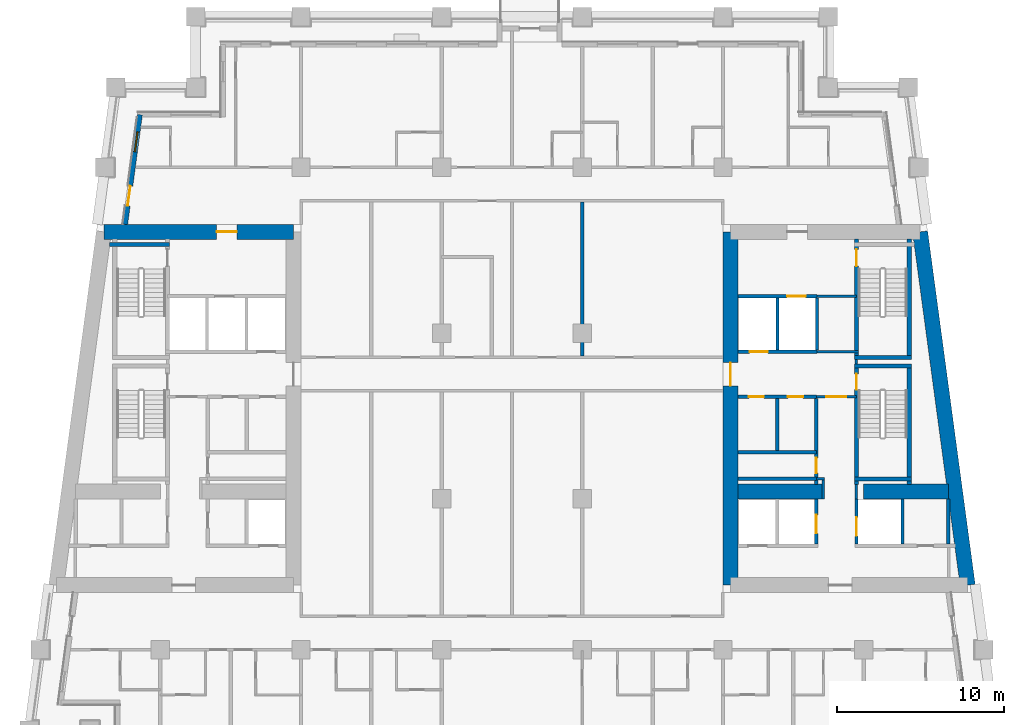
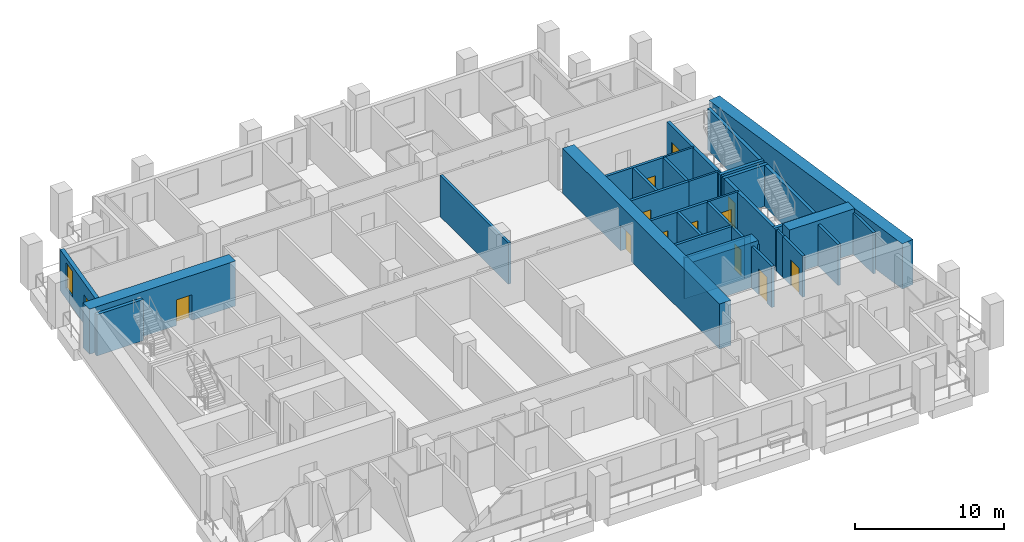
# One storey, part 6 of 13: 35 walls, 13 doors, 1 window, 14 openings.
"""IFC4 building model written with IfcOpenShell, lengths in metres."""

from ifc_helpers import new_model, si_unit, direction, frame, frame_2d, origin, place, context, subcontext, project, spatial, rectangle, extrude, material, layer, layer_set, type_object, element, fill, save


model = new_model("IFC4")

# Units and contexts
model_context = context("Model", 3, precision=1e-05, world=origin(), true_north=direction((0.0, 1.0)))
body_context = subcontext(model_context, "Body", "Model", "MODEL_VIEW")
ifc_project = project(units=[si_unit("LENGTHUNIT", "METRE"), si_unit("AREAUNIT", "SQUARE_METRE"), si_unit("VOLUMEUNIT", "CUBIC_METRE"), si_unit("PLANEANGLEUNIT", "RADIAN"), si_unit("MASSUNIT", "GRAM", prefix="KILO")], contexts=[model_context])

# Site, building, storey
site_placement = place(None, origin())
site = spatial("IfcSite", under=ifc_project, at=site_placement, CompositionType="ELEMENT")
building_placement = place(site_placement, origin())
building = spatial("IfcBuilding", under=site, at=building_placement, Name="Candeia Pilgrim Tower and Theatre", CompositionType="ELEMENT")
storey_placement = place(building_placement, frame((0.0, 0.0, 181.10009765625)))
storey = spatial("IfcBuildingStorey", under=building, at=storey_placement, Name="L43", CompositionType="ELEMENT", Elevation=181.10009765625)

# Wall, opening, door
ifc_material_1 = material(Name="Concrete C60/75", Category="concrete")
ifc_layer_1 = layer(ifc_material_1, 0.89990234375)
ifc_layer_set_1 = layer_set([ifc_layer_1], Name="Core wall 900 C60/75")
wall_type_1 = type_object("IfcWallType", Name="Core wall 900 C60/75", PredefinedType="SHEAR", material=ifc_layer_set_1)
wall_1_placement = place(storey_placement, frame((89.024169921875, 131.949951171875, 0.0), z_axis=(0.0, 0.0, 1.0), x_axis=(1.0, 0.0, 0.0)))
wall_1 = element("IfcWall", 1, at=wall_1_placement, inside=storey, type_object=wall_type_1, Name="Core wall W1", PredefinedType="SHEAR", context=body_context, shape_type="SweptSolid", body=[
    extrude(rectangle(XDim=11.325927734375, YDim=0.89990234375, at=frame_2d((5.6630859375, 0.0))), origin(), (0.0, 0.0, 1.0), 3.699951171875),
])
opening_1_placement = place(wall_1_placement, frame((6.7392578125, 0.0, 0.0)))
opening_1 = element("IfcOpeningElement", 2, at=opening_1_placement, cuts=wall_1, Name="Opening L43-D065", PredefinedType="OPENING", context=body_context, shape_type="SweptSolid", body=[
    extrude(rectangle(XDim=1.199951171875, YDim=2.10009765625, at=frame_2d((0.60009765625, 1.050048828125))), frame((0.0, 0.4599609375, 0.0), z_axis=(0.0, -1.0, 0.0), x_axis=(1.0, 0.0, 0.0)), (0.0, 0.0, 1.0), 0.919921875),
])
ifc_material_2 = material(Name="Steel fire door set", Category="steel")
door_type_1 = type_object("IfcDoorType", Name="D-1200-FD60", OperationType="NOTDEFINED", PredefinedType="DOOR", material=ifc_material_2)
door_1_placement = place(opening_1_placement, origin())
door_1 = element("IfcDoor", 3, at=door_1_placement, inside=storey, type_object=door_type_1, Name="Door L43-D065", OperationType="SINGLE_SWING_RIGHT", OverallHeight=2.10009765625, OverallWidth=1.199951171875, PredefinedType="DOOR", context=body_context, shape_type="SweptSolid", body=[
    extrude(rectangle(XDim=1.199951171875, YDim=2.10009765625, at=frame_2d((0.60009765625, 1.050048828125))), frame((0.0, 0.02490234375, 0.0), z_axis=(0.0, -1.0, 0.0), x_axis=(1.0, 0.0, 0.0)), (0.0, 0.0, 1.0), 0.050048828125),
])
fill(opening_1, door_1)

# Wall
wall_2_placement = place(storey_placement, frame((137.775634765625, 131.949951171875, 0.0), z_axis=(0.0, 0.0, 1.0), x_axis=(0.133421759112, -0.991059349482, 0.0)))
element("IfcWall", 4, at=wall_2_placement, inside=storey, type_object=wall_type_1, Name="Core wall E2", PredefinedType="SHEAR", context=body_context, shape_type="SweptSolid", body=[
    extrude(rectangle(XDim=21.290283203125, YDim=0.89990234375, at=frame_2d((10.64501953125, 0.0))), origin(), (0.0, 0.0, 1.0), 3.699951171875),
])

# Wall, opening, door
wall_3_placement = place(storey_placement, frame((126.449951171875, 110.85009765625, 0.0), z_axis=(0.0, 0.0, 1.0), x_axis=(0.0, 1.0, 0.0)))
wall_3 = element("IfcWall", 5, at=wall_3_placement, inside=storey, type_object=wall_type_1, Name="Core wall E4", PredefinedType="SHEAR", context=body_context, shape_type="SweptSolid", body=[
    extrude(rectangle(XDim=21.099853515625, YDim=0.89990234375, at=frame_2d((10.5498046875, 0.0))), origin(), (0.0, 0.0, 1.0), 3.699951171875),
])
opening_2_placement = place(wall_3_placement, frame((11.89990234375, 0.0, 0.0)))
opening_2 = element("IfcOpeningElement", 6, at=opening_2_placement, cuts=wall_3, Name="Opening L43-D069", PredefinedType="OPENING", context=body_context, shape_type="SweptSolid", body=[
    extrude(rectangle(XDim=1.39990234375, YDim=2.10009765625, at=frame_2d((0.699951171875, 1.050048828125))), frame((0.0, 0.4599609375, 0.0), z_axis=(0.0, -1.0, 0.0), x_axis=(1.0, 0.0, 0.0)), (0.0, 0.0, 1.0), 0.919921875),
])
door_type_2 = type_object("IfcDoorType", Name="D-1400-FD60", OperationType="NOTDEFINED", PredefinedType="DOOR", material=ifc_material_2)
door_2_placement = place(opening_2_placement, origin())
door_2 = element("IfcDoor", 7, at=door_2_placement, inside=storey, type_object=door_type_2, Name="Door L43-D069", OperationType="SINGLE_SWING_RIGHT", OverallHeight=2.10009765625, OverallWidth=1.39990234375, PredefinedType="DOOR", context=body_context, shape_type="SweptSolid", body=[
    extrude(rectangle(XDim=1.39990234375, YDim=2.10009765625, at=frame_2d((0.699951171875, 1.050048828125))), frame((0.0, 0.02490234375, 0.0), z_axis=(0.0, -1.0, 0.0), x_axis=(1.0, 0.0, 0.0)), (0.0, 0.0, 1.0), 0.050048828125),
])
fill(opening_2, door_2)

# Walls
wall_4_placement = place(storey_placement, frame((126.89990234375, 116.449951171875, 0.0), z_axis=(0.0, 0.0, 1.0), x_axis=(1.0, 0.0, 0.0)))
element("IfcWall", 8, at=wall_4_placement, inside=storey, type_object=wall_type_1, Name="Core wall E5", PredefinedType="SHEAR", context=body_context, shape_type="SweptSolid", body=[
    extrude(rectangle(XDim=5.10009765625, YDim=0.89990234375, at=frame_2d((2.550048828125, 0.0))), origin(), (0.0, 0.0, 1.0), 3.699951171875),
])
wall_5_placement = place(storey_placement, frame((134.39990234375, 116.449951171875, 0.0), z_axis=(0.0, 0.0, 1.0), x_axis=(1.0, 0.0, 0.0)))
element("IfcWall", 9, at=wall_5_placement, inside=storey, type_object=wall_type_1, Name="Core wall E6", PredefinedType="SHEAR", context=body_context, shape_type="SweptSolid", body=[
    extrude(rectangle(XDim=5.076904296875, YDim=0.89990234375, at=frame_2d((2.53857421875, 0.0))), origin(), (0.0, 0.0, 1.0), 3.699951171875),
])

# Wall, openings, door, window
ifc_material_3 = material(Name="Ceramic block masonry", Category="masonry")
ifc_layer_2 = layer(ifc_material_3, 0.300048828125)
ifc_layer_set_2 = layer_set([ifc_layer_2], Name="EW1 glazing-line wall 300")
wall_type_2 = type_object("IfcWallType", Name="EW1 glazing-line wall 300", PredefinedType="SOLIDWALL", material=ifc_layer_set_2)
wall_6_placement = place(storey_placement, frame((91.177490234375, 138.949951171875, 0.0), z_axis=(0.0, 0.0, 1.0), x_axis=(-0.133426664613, -0.991058689065, 0.0)))
wall_6 = element("IfcWall", 10, at=wall_6_placement, inside=storey, type_object=wall_type_2, Name="External wall L43-9.0", PredefinedType="SOLIDWALL", context=body_context, shape_type="SweptSolid", body=[
    extrude(rectangle(XDim=6.609130859375, YDim=0.300048828125, at=frame_2d((3.3046875, 0.0))), origin(), (0.0, 0.0, 1.0), 3.3798828125),
])
opening_3_placement = place(wall_6_placement, frame((1.039306640625, 0.0, 0.89990234375)))
opening_3 = element("IfcOpeningElement", 11, at=opening_3_placement, cuts=wall_6, Name="Opening W-B", PredefinedType="OPENING", context=body_context, shape_type="SweptSolid", body=[
    extrude(rectangle(XDim=1.199951171875, YDim=2.10009765625, at=frame_2d((0.60009765625, 1.050048828125))), frame((0.0, 0.16015625, 0.0), z_axis=(0.0, -1.0, 0.0), x_axis=(1.0, 0.0, 0.0)), (0.0, 0.0, 1.0), 0.320068359375),
])
opening_4_placement = place(wall_6_placement, frame((4.293701171875, 0.0, 0.0)))
opening_4 = element("IfcOpeningElement", 12, at=opening_4_placement, cuts=wall_6, Name="Opening L43-ED417", PredefinedType="OPENING", context=body_context, shape_type="SweptSolid", body=[
    extrude(rectangle(XDim=1.199951171875, YDim=2.39990234375, at=frame_2d((0.60009765625, 1.199951171875))), frame((0.0, 0.16015625, 0.0), z_axis=(0.0, -1.0, 0.0), x_axis=(1.0, 0.0, 0.0)), (0.0, 0.0, 1.0), 0.320068359375),
])
ifc_material_4 = material(Name="Aluminium framed glazed door", Category="aluminium")
door_type_3 = type_object("IfcDoorType", Name="Loggia door 1200x2400", OperationType="DOUBLE_DOOR_SINGLE_SWING", PredefinedType="DOOR", material=ifc_material_4)
door_3_placement = place(opening_4_placement, origin())
door_3 = element("IfcDoor", 13, at=door_3_placement, inside=storey, type_object=door_type_3, Name="Loggia door L43-ED417", OperationType="DOUBLE_DOOR_SINGLE_SWING", OverallHeight=2.39990234375, OverallWidth=1.199951171875, PredefinedType="DOOR", context=body_context, shape_type="SweptSolid", body=[
    extrude(rectangle(XDim=1.199951171875, YDim=2.39990234375, at=frame_2d((0.60009765625, 1.199951171875))), frame((0.0, 0.02490234375, 0.0), z_axis=(0.0, -1.0, 0.0), x_axis=(1.0, 0.0, 0.0)), (0.0, 0.0, 1.0), 0.050048828125),
])
fill(opening_4, door_3)
ifc_material_5 = material(Name="Aluminium framed double glazing", Category="aluminium")
window_type = type_object("IfcWindowType", Name="W-B window 1200x2100", PartitioningType="SINGLE_PANEL", PredefinedType="WINDOW", material=ifc_material_5)
window_placement = place(opening_3_placement, origin())
window = element("IfcWindow", 14, at=window_placement, inside=storey, type_object=window_type, Name="Window W-B L43", OverallHeight=2.10009765625, OverallWidth=1.199951171875, PartitioningType="SINGLE_PANEL", PredefinedType="WINDOW", context=body_context, shape_type="SweptSolid", body=[
    extrude(rectangle(XDim=1.199951171875, YDim=2.10009765625, at=frame_2d((0.60009765625, 1.050048828125))), frame((0.0, 0.030029296875, 0.0), z_axis=(0.0, -1.0, 0.0), x_axis=(1.0, 0.0, 0.0)), (0.0, 0.0, 1.0), 0.06005859375),
])
fill(opening_3, window)

# Wall
ifc_material_6 = material(Name="Gypsum board partition on steel studs", Category="steel")
ifc_layer_3 = layer(ifc_material_6, 0.14990234375)
ifc_layer_set_3 = layer_set([ifc_layer_3], Name="PW-150 lobby wall")
wall_type_3 = type_object("IfcWallType", Name="PW-150 lobby wall", PredefinedType="PARTITIONING", material=ifc_layer_set_3)
wall_7_placement = place(storey_placement, frame((131.572998046875, 117.199951171875, 0.0), z_axis=(0.0, 0.0, 1.0), x_axis=(1.0, 0.0, 0.0)))
element("IfcWall", 15, at=wall_7_placement, inside=storey, type_object=wall_type_3, Name="Lobby wall L43-020", PredefinedType="PARTITIONING", context=body_context, shape_type="SweptSolid", body=[
    extrude(rectangle(XDim=0.501953125, YDim=0.14990234375, at=frame_2d((0.2509765625, 0.0))), origin(), (0.0, 0.0, 1.0), 3.3798828125),
])

# Wall, opening, door
wall_8_placement = place(storey_placement, frame((131.572998046875, 122.10009765625, 0.0), z_axis=(0.0, 0.0, 1.0), x_axis=(1.0, 0.0, 0.0)))
wall_8 = element("IfcWall", 16, at=wall_8_placement, inside=storey, type_object=wall_type_3, Name="Lobby wall L43-028", PredefinedType="PARTITIONING", context=body_context, shape_type="SweptSolid", body=[
    extrude(rectangle(XDim=2.39990234375, YDim=0.14990234375, at=frame_2d((1.199951171875, 0.0))), origin(), (0.0, 0.0, 1.0), 3.3798828125),
])
opening_5_placement = place(wall_8_placement, frame((0.60009765625, 0.0, 0.0)))
opening_5 = element("IfcOpeningElement", 17, at=opening_5_placement, cuts=wall_8, Name="Opening L43-D010", PredefinedType="OPENING", context=body_context, shape_type="SweptSolid", body=[
    extrude(rectangle(XDim=1.199951171875, YDim=2.10009765625, at=frame_2d((0.60009765625, 1.050048828125))), frame((0.0, 0.0849609375, 0.0), z_axis=(0.0, -1.0, 0.0), x_axis=(1.0, 0.0, 0.0)), (0.0, 0.0, 1.0), 0.169921875),
])
door_4_placement = place(opening_5_placement, origin())
door_4 = element("IfcDoor", 18, at=door_4_placement, inside=storey, type_object=door_type_1, Name="Door L43-D010", OperationType="SINGLE_SWING_RIGHT", OverallHeight=2.10009765625, OverallWidth=1.199951171875, PredefinedType="DOOR", context=body_context, shape_type="SweptSolid", body=[
    extrude(rectangle(XDim=1.199951171875, YDim=2.10009765625, at=frame_2d((0.60009765625, 1.050048828125))), frame((0.0, 0.02490234375, 0.0), z_axis=(0.0, -1.0, 0.0), x_axis=(1.0, 0.0, 0.0)), (0.0, 0.0, 1.0), 0.050048828125),
])
fill(opening_5, door_4)

# Walls
wall_9_placement = place(storey_placement, frame((131.615234375, 124.800048828125, 0.0), z_axis=(0.0, 0.0, 1.0), x_axis=(1.0, 0.0, 0.0)))
element("IfcWall", 19, at=wall_9_placement, inside=storey, type_object=wall_type_3, Name="Lobby wall L43-037", PredefinedType="PARTITIONING", context=body_context, shape_type="SweptSolid", body=[
    extrude(rectangle(XDim=2.482666015625, YDim=0.14990234375, at=frame_2d((1.2412109375, 0.0))), origin(), (0.0, 0.0, 1.0), 3.3798828125),
])
wall_10_placement = place(storey_placement, frame((131.615234375, 128.10009765625, 0.0), z_axis=(0.0, 0.0, 1.0), x_axis=(1.0, 0.0, 0.0)))
element("IfcWall", 20, at=wall_10_placement, inside=storey, type_object=wall_type_3, Name="Lobby wall L43-040", PredefinedType="PARTITIONING", context=body_context, shape_type="SweptSolid", body=[
    extrude(rectangle(XDim=2.357666015625, YDim=0.14990234375, at=frame_2d((1.1787109375, 0.0))), origin(), (0.0, 0.0, 1.0), 3.3798828125),
])
wall_11_placement = place(storey_placement, frame((132.0, 116.0, 0.0), z_axis=(0.0, 0.0, 1.0), x_axis=(0.0, 1.0, 0.0)))
element("IfcWall", 21, at=wall_11_placement, inside=storey, type_object=wall_type_3, Name="Lobby wall L43-119", PredefinedType="PARTITIONING", context=body_context, shape_type="SweptSolid", body=[
    extrude(rectangle(XDim=1.125, YDim=0.14990234375, at=frame_2d((0.5625, 0.0))), origin(), (0.0, 0.0, 1.0), 3.3798828125),
])
wall_12_placement = place(storey_placement, frame((133.972900390625, 116.0, 0.0), z_axis=(0.0, 0.0, 1.0), x_axis=(0.0, 1.0, 0.0)))
element("IfcWall", 22, at=wall_12_placement, inside=storey, type_object=wall_type_3, Name="Lobby wall L43-122", PredefinedType="PARTITIONING", context=body_context, shape_type="SweptSolid", body=[
    extrude(rectangle(XDim=0.8701171875, YDim=0.14990234375, at=frame_2d((0.43505859375, 0.0))), origin(), (0.0, 0.0, 1.0), 3.3798828125),
])
wall_13_placement = place(storey_placement, frame((133.972900390625, 124.074951171875, 0.0), z_axis=(0.0, 0.0, 1.0), x_axis=(0.0, 1.0, 0.0)))
element("IfcWall", 23, at=wall_13_placement, inside=storey, type_object=wall_type_3, Name="Lobby wall L43-123", PredefinedType="PARTITIONING", context=body_context, shape_type="SweptSolid", body=[
    extrude(rectangle(XDim=0.25, YDim=0.14990234375, at=frame_2d((0.125, 0.0))), origin(), (0.0, 0.0, 1.0), 3.3798828125),
])
ifc_layer_4 = layer(ifc_material_6, 0.199951171875)
ifc_layer_set_4 = layer_set([ifc_layer_4], Name="PW-200 party wall")
wall_type_4 = type_object("IfcWallType", Name="PW-200 party wall", PredefinedType="PARTITIONING", material=ifc_layer_set_4)
wall_14_placement = place(storey_placement, frame((117.60009765625, 124.52490234375, 0.0), z_axis=(0.0, 0.0, 1.0), x_axis=(0.0, 1.0, 0.0)))
element("IfcWall", 24, at=wall_14_placement, inside=storey, type_object=wall_type_4, Name="Party wall L43-097", PredefinedType="PARTITIONING", context=body_context, shape_type="SweptSolid", body=[
    extrude(rectangle(XDim=9.2001953125, YDim=0.199951171875, at=frame_2d((4.60009765625, 0.0))), origin(), (0.0, 0.0, 1.0), 3.3798828125),
])
ifc_material_7 = material(Name="Concrete C40/50", Category="concrete")
ifc_layer_5 = layer(ifc_material_7, 0.199951171875)
ifc_layer_set_5 = layer_set([ifc_layer_5], Name="SW-200 shaft wall")
wall_type_5 = type_object("IfcWallType", Name="SW-200 shaft wall", PredefinedType="PARTITIONING", material=ifc_layer_set_5)
for number, where, z_axis, x_axis, name in (
    (25, (126.89990234375, 117.199951171875, 0.0), (0.0, 0.0, 1.0), (1.0, 0.0, 0.0), "Shaft wall L43-018"),
    (26, (126.89990234375, 118.800048828125, 0.0), (0.0, 0.0, 1.0), (1.0, 0.0, 0.0), "Shaft wall L43-024"),
):
    element("IfcWall", number, at=place(storey_placement, frame(where, z_axis=z_axis, x_axis=x_axis)), inside=storey, type_object=wall_type_5, Name=name, PredefinedType="PARTITIONING", context=body_context, shape_type="SweptSolid", body=[
        extrude(rectangle(XDim=4.673095703125, YDim=0.199951171875, at=frame_2d((2.33642578125, 0.0))), origin(), (0.0, 0.0, 1.0), 3.3798828125),
    ])

# Wall, openings, doors
wall_15_placement = place(storey_placement, frame((126.89990234375, 122.10009765625, 0.0), z_axis=(0.0, 0.0, 1.0), x_axis=(1.0, 0.0, 0.0)))
wall_15 = element("IfcWall", 27, at=wall_15_placement, inside=storey, type_object=wall_type_5, Name="Shaft wall L43-026", PredefinedType="PARTITIONING", context=body_context, shape_type="SweptSolid", body=[
    extrude(rectangle(XDim=4.673095703125, YDim=0.199951171875, at=frame_2d((2.33642578125, 0.0))), origin(), (0.0, 0.0, 1.0), 3.3798828125),
])
opening_6_placement = place(wall_15_placement, frame((2.98095703125, 0.0, 0.0)))
opening_6 = element("IfcOpeningElement", 28, at=opening_6_placement, cuts=wall_15, Name="Opening L43-D011", PredefinedType="OPENING", context=body_context, shape_type="SweptSolid", body=[
    extrude(rectangle(XDim=0.89990234375, YDim=2.10009765625, at=frame_2d((0.449951171875, 1.050048828125))), frame((0.0, 0.10986328125, 0.0), z_axis=(0.0, -1.0, 0.0), x_axis=(1.0, 0.0, 0.0)), (0.0, 0.0, 1.0), 0.219970703125),
])
opening_7_placement = place(wall_15_placement, frame((0.64501953125, 0.0, 0.0)))
opening_7 = element("IfcOpeningElement", 29, at=opening_7_placement, cuts=wall_15, Name="Opening L43-D012", PredefinedType="OPENING", context=body_context, shape_type="SweptSolid", body=[
    extrude(rectangle(XDim=0.89990234375, YDim=2.10009765625, at=frame_2d((0.449951171875, 1.050048828125))), frame((0.0, 0.10986328125, 0.0), z_axis=(0.0, -1.0, 0.0), x_axis=(1.0, 0.0, 0.0)), (0.0, 0.0, 1.0), 0.219970703125),
])
door_type_4 = type_object("IfcDoorType", Name="D-900-FD60", OperationType="NOTDEFINED", PredefinedType="DOOR", material=ifc_material_2)
door_5_placement = place(opening_6_placement, origin())
door_5 = element("IfcDoor", 30, at=door_5_placement, inside=storey, type_object=door_type_4, Name="Door L43-D011", OperationType="SINGLE_SWING_LEFT", OverallHeight=2.10009765625, OverallWidth=0.89990234375, PredefinedType="DOOR", context=body_context, shape_type="SweptSolid", body=[
    extrude(rectangle(XDim=0.89990234375, YDim=2.10009765625, at=frame_2d((0.449951171875, 1.050048828125))), frame((0.0, 0.02490234375, 0.0), z_axis=(0.0, -1.0, 0.0), x_axis=(1.0, 0.0, 0.0)), (0.0, 0.0, 1.0), 0.050048828125),
])
fill(opening_6, door_5)
door_6_placement = place(opening_7_placement, origin())
door_6 = element("IfcDoor", 31, at=door_6_placement, inside=storey, type_object=door_type_4, Name="Door L43-D012", OperationType="SINGLE_SWING_RIGHT", OverallHeight=2.10009765625, OverallWidth=0.89990234375, PredefinedType="DOOR", context=body_context, shape_type="SweptSolid", body=[
    extrude(rectangle(XDim=0.89990234375, YDim=2.10009765625, at=frame_2d((0.449951171875, 1.050048828125))), frame((0.0, 0.02490234375, 0.0), z_axis=(0.0, -1.0, 0.0), x_axis=(1.0, 0.0, 0.0)), (0.0, 0.0, 1.0), 0.050048828125),
])
fill(opening_7, door_6)

# Wall, opening, door
wall_16_placement = place(storey_placement, frame((126.89990234375, 124.800048828125, 0.0), z_axis=(0.0, 0.0, 1.0), x_axis=(1.0, 0.0, 0.0)))
wall_16 = element("IfcWall", 32, at=wall_16_placement, inside=storey, type_object=wall_type_5, Name="Shaft wall L43-036", PredefinedType="PARTITIONING", context=body_context, shape_type="SweptSolid", body=[
    extrude(rectangle(XDim=4.71533203125, YDim=0.199951171875, at=frame_2d((2.357666015625, 0.0))), origin(), (0.0, 0.0, 1.0), 3.3798828125),
])
opening_8_placement = place(wall_16_placement, frame((0.68505859375, 0.0, 0.0)))
opening_8 = element("IfcOpeningElement", 33, at=opening_8_placement, cuts=wall_16, Name="Opening L43-LD05", PredefinedType="OPENING", context=body_context, shape_type="SweptSolid", body=[
    extrude(rectangle(XDim=1.10009765625, YDim=2.10009765625, at=frame_2d((0.550048828125, 1.050048828125))), frame((0.0, 0.10986328125, 0.0), z_axis=(0.0, -1.0, 0.0), x_axis=(1.0, 0.0, 0.0)), (0.0, 0.0, 1.0), 0.219970703125),
])
ifc_material_8 = material(Name="Glazed aluminium landing door", Category="aluminium")
door_type_5 = type_object("IfcDoorType", Name="LD-1100-EI120", OperationType="SLIDING_TO_LEFT", PredefinedType="DOOR", material=ifc_material_8)
door_7_placement = place(opening_8_placement, origin())
door_7 = element("IfcDoor", 34, at=door_7_placement, inside=storey, type_object=door_type_5, Name="Landing door 05 L43", OperationType="SLIDING_TO_LEFT", OverallHeight=2.10009765625, OverallWidth=1.10009765625, PredefinedType="DOOR", context=body_context, shape_type="SweptSolid", body=[
    extrude(rectangle(XDim=1.10009765625, YDim=2.10009765625, at=frame_2d((0.550048828125, 1.050048828125))), frame((0.0, 0.02490234375, 0.0), z_axis=(0.0, -1.0, 0.0), x_axis=(1.0, 0.0, 0.0)), (0.0, 0.0, 1.0), 0.050048828125),
])
fill(opening_8, door_7)

wall_17_placement = place(storey_placement, frame((126.89990234375, 128.10009765625, 0.0), z_axis=(0.0, 0.0, 1.0), x_axis=(1.0, 0.0, 0.0)))
wall_17 = element("IfcWall", 35, at=wall_17_placement, inside=storey, type_object=wall_type_5, Name="Shaft wall L43-039", PredefinedType="PARTITIONING", context=body_context, shape_type="SweptSolid", body=[
    extrude(rectangle(XDim=4.71533203125, YDim=0.199951171875, at=frame_2d((2.357666015625, 0.0))), origin(), (0.0, 0.0, 1.0), 3.3798828125),
])
opening_9_placement = place(wall_17_placement, frame((2.930908203125, 0.0, 0.0)))
opening_9 = element("IfcOpeningElement", 36, at=opening_9_placement, cuts=wall_17, Name="Opening L43-LD04", PredefinedType="OPENING", context=body_context, shape_type="SweptSolid", body=[
    extrude(rectangle(XDim=1.10009765625, YDim=2.10009765625, at=frame_2d((0.550048828125, 1.050048828125))), frame((0.0, 0.10986328125, 0.0), z_axis=(0.0, -1.0, 0.0), x_axis=(1.0, 0.0, 0.0)), (0.0, 0.0, 1.0), 0.219970703125),
])
door_8_placement = place(opening_9_placement, origin())
door_8 = element("IfcDoor", 37, at=door_8_placement, inside=storey, type_object=door_type_5, Name="Landing door 04 L43", OperationType="SLIDING_TO_LEFT", OverallHeight=2.10009765625, OverallWidth=1.10009765625, PredefinedType="DOOR", context=body_context, shape_type="SweptSolid", body=[
    extrude(rectangle(XDim=1.10009765625, YDim=2.10009765625, at=frame_2d((0.550048828125, 1.050048828125))), frame((0.0, 0.02490234375, 0.0), z_axis=(0.0, -1.0, 0.0), x_axis=(1.0, 0.0, 0.0)), (0.0, 0.0, 1.0), 0.050048828125),
])
fill(opening_9, door_8)

# Walls
for number, where, z_axis, x_axis, name in (
    (38, (129.236572265625, 118.89990234375, 0.0), (0.0, 0.0, 1.0), (0.0, 1.0, 0.0), "Shaft wall L43-111"),
    (39, (129.2578125, 124.89990234375, 0.0), (0.0, 0.0, 1.0), (0.0, 1.0, 0.0), "Shaft wall L43-112"),
):
    element("IfcWall", number, at=place(storey_placement, frame(where, z_axis=z_axis, x_axis=x_axis)), inside=storey, type_object=wall_type_5, Name=name, PredefinedType="PARTITIONING", context=body_context, shape_type="SweptSolid", body=[
        extrude(rectangle(XDim=3.10009765625, YDim=0.199951171875, at=frame_2d((1.550048828125, 0.0))), origin(), (0.0, 0.0, 1.0), 3.3798828125),
    ])

# Wall, opening, door
wall_18_placement = place(storey_placement, frame((131.572998046875, 113.300048828125, 0.0), z_axis=(0.0, 0.0, 1.0), x_axis=(0.0, 1.0, 0.0)))
wall_18 = element("IfcWall", 40, at=wall_18_placement, inside=storey, type_object=wall_type_5, Name="Shaft wall L43-115", PredefinedType="PARTITIONING", context=body_context, shape_type="SweptSolid", body=[
    extrude(rectangle(XDim=2.699951171875, YDim=0.199951171875, at=frame_2d((1.35009765625, 0.0))), origin(), (0.0, 0.0, 1.0), 3.3798828125),
])
opening_10_placement = place(wall_18_placement, frame((0.64990234375, 0.0, 0.0)))
opening_10 = element("IfcOpeningElement", 41, at=opening_10_placement, cuts=wall_18, Name="Opening L43-LD07", PredefinedType="OPENING", context=body_context, shape_type="SweptSolid", body=[
    extrude(rectangle(XDim=1.10009765625, YDim=2.10009765625, at=frame_2d((0.550048828125, 1.050048828125))), frame((0.0, 0.10986328125, 0.0), z_axis=(0.0, -1.0, 0.0), x_axis=(1.0, 0.0, 0.0)), (0.0, 0.0, 1.0), 0.219970703125),
])
door_9_placement = place(opening_10_placement, origin())
door_9 = element("IfcDoor", 42, at=door_9_placement, inside=storey, type_object=door_type_5, Name="Landing door 07 L43", OperationType="SLIDING_TO_LEFT", OverallHeight=2.10009765625, OverallWidth=1.10009765625, PredefinedType="DOOR", context=body_context, shape_type="SweptSolid", body=[
    extrude(rectangle(XDim=1.10009765625, YDim=2.10009765625, at=frame_2d((0.550048828125, 1.050048828125))), frame((0.0, 0.02490234375, 0.0), z_axis=(0.0, -1.0, 0.0), x_axis=(1.0, 0.0, 0.0)), (0.0, 0.0, 1.0), 0.050048828125),
])
fill(opening_10, door_9)

wall_19_placement = place(storey_placement, frame((131.572998046875, 116.8701171875, 0.0), z_axis=(0.0, 0.0, 1.0), x_axis=(0.0, 1.0, 0.0)))
wall_19 = element("IfcWall", 43, at=wall_19_placement, inside=storey, type_object=wall_type_5, Name="Shaft wall L43-116", PredefinedType="PARTITIONING", context=body_context, shape_type="SweptSolid", body=[
    extrude(rectangle(XDim=5.1298828125, YDim=0.199951171875, at=frame_2d((2.56494140625, 0.0))), origin(), (0.0, 0.0, 1.0), 3.3798828125),
])
opening_11_placement = place(wall_19_placement, frame((0.679931640625, 0.0, 0.0)))
opening_11 = element("IfcOpeningElement", 44, at=opening_11_placement, cuts=wall_19, Name="Opening L43-D015", PredefinedType="OPENING", context=body_context, shape_type="SweptSolid", body=[
    extrude(rectangle(XDim=0.89990234375, YDim=2.10009765625, at=frame_2d((0.449951171875, 1.050048828125))), frame((0.0, 0.10986328125, 0.0), z_axis=(0.0, -1.0, 0.0), x_axis=(1.0, 0.0, 0.0)), (0.0, 0.0, 1.0), 0.219970703125),
])
door_10_placement = place(opening_11_placement, origin())
door_10 = element("IfcDoor", 45, at=door_10_placement, inside=storey, type_object=door_type_4, Name="Door L43-D015", OperationType="SINGLE_SWING_LEFT", OverallHeight=2.10009765625, OverallWidth=0.89990234375, PredefinedType="DOOR", context=body_context, shape_type="SweptSolid", body=[
    extrude(rectangle(XDim=0.89990234375, YDim=2.10009765625, at=frame_2d((0.449951171875, 1.050048828125))), frame((0.0, 0.02490234375, 0.0), z_axis=(0.0, -1.0, 0.0), x_axis=(1.0, 0.0, 0.0)), (0.0, 0.0, 1.0), 0.050048828125),
])
fill(opening_11, door_10)

# Wall
wall_20_placement = place(storey_placement, frame((131.615234375, 124.89990234375, 0.0), z_axis=(0.0, 0.0, 1.0), x_axis=(0.0, 1.0, 0.0)))
element("IfcWall", 46, at=wall_20_placement, inside=storey, type_object=wall_type_5, Name="Shaft wall L43-117", PredefinedType="PARTITIONING", context=body_context, shape_type="SweptSolid", body=[
    extrude(rectangle(XDim=3.10009765625, YDim=0.199951171875, at=frame_2d((1.550048828125, 0.0))), origin(), (0.0, 0.0, 1.0), 3.3798828125),
])

# Wall, opening, door
wall_21_placement = place(storey_placement, frame((133.972900390625, 113.300048828125, 0.0), z_axis=(0.0, 0.0, 1.0), x_axis=(0.0, 1.0, 0.0)))
wall_21 = element("IfcWall", 47, at=wall_21_placement, inside=storey, type_object=wall_type_5, Name="Shaft wall L43-121", PredefinedType="PARTITIONING", context=body_context, shape_type="SweptSolid", body=[
    extrude(rectangle(XDim=2.699951171875, YDim=0.199951171875, at=frame_2d((1.35009765625, 0.0))), origin(), (0.0, 0.0, 1.0), 3.3798828125),
])
opening_12_placement = place(wall_21_placement, frame((0.5, 0.0, 0.0)))
opening_12 = element("IfcOpeningElement", 48, at=opening_12_placement, cuts=wall_21, Name="Opening L43-LD06", PredefinedType="OPENING", context=body_context, shape_type="SweptSolid", body=[
    extrude(rectangle(XDim=1.10009765625, YDim=2.10009765625, at=frame_2d((0.550048828125, 1.050048828125))), frame((0.0, 0.10986328125, 0.0), z_axis=(0.0, -1.0, 0.0), x_axis=(1.0, 0.0, 0.0)), (0.0, 0.0, 1.0), 0.219970703125),
])
door_11_placement = place(opening_12_placement, origin())
door_11 = element("IfcDoor", 49, at=door_11_placement, inside=storey, type_object=door_type_5, Name="Landing door 06 L43", OperationType="SLIDING_TO_LEFT", OverallHeight=2.10009765625, OverallWidth=1.10009765625, PredefinedType="DOOR", context=body_context, shape_type="SweptSolid", body=[
    extrude(rectangle(XDim=1.10009765625, YDim=2.10009765625, at=frame_2d((0.550048828125, 1.050048828125))), frame((0.0, 0.02490234375, 0.0), z_axis=(0.0, -1.0, 0.0), x_axis=(1.0, 0.0, 0.0)), (0.0, 0.0, 1.0), 0.050048828125),
])
fill(opening_12, door_11)

# Walls
for number, where, z_axis, x_axis, name in (
    (50, (136.722412109375, 113.300048828125, 0.0), (0.0, 0.0, 1.0), (0.0, 1.0, 0.0), "Shaft wall L43-127"),
    (51, (139.44970703125, 113.300048828125, 0.0), (0.0, 0.0, 1.0), (0.0, 1.0, 0.0), "Shaft wall L43-131"),
):
    element("IfcWall", number, at=place(storey_placement, frame(where, z_axis=z_axis, x_axis=x_axis)), inside=storey, type_object=wall_type_5, Name=name, PredefinedType="PARTITIONING", context=body_context, shape_type="SweptSolid", body=[
        extrude(rectangle(XDim=2.699951171875, YDim=0.199951171875, at=frame_2d((1.35009765625, 0.0))), origin(), (0.0, 0.0, 1.0), 3.3798828125),
    ])
ifc_layer_6 = layer(ifc_material_7, 0.25)
ifc_layer_set_6 = layer_set([ifc_layer_6], Name="SW-250 stair wall")
wall_type_6 = type_object("IfcWallType", Name="SW-250 stair wall", PredefinedType="PARTITIONING", material=ifc_layer_set_6)
for number, where, z_axis, x_axis, name in (
    (52, (133.847900390625, 117.199951171875, 0.0), (0.0, 0.0, 1.0), (1.0, 0.0, 0.0), "Stair wall L43-022"),
    (53, (133.847900390625, 123.949951171875, 0.0), (0.0, 0.0, 1.0), (1.0, 0.0, 0.0), "Stair wall L43-031"),
    (54, (133.847900390625, 124.449951171875, 0.0), (0.0, 0.0, 1.0), (1.0, 0.0, 0.0), "Stair wall L43-033"),
):
    element("IfcWall", number, at=place(storey_placement, frame(where, z_axis=z_axis, x_axis=x_axis)), inside=storey, type_object=wall_type_6, Name=name, PredefinedType="PARTITIONING", context=body_context, shape_type="SweptSolid", body=[
        extrude(rectangle(XDim=3.400146484375, YDim=0.25, at=frame_2d((1.7001953125, 0.0))), origin(), (0.0, 0.0, 1.0), 3.3798828125),
    ])
wall_22_placement = place(storey_placement, frame((89.347412109375, 131.199951171875, 0.0), z_axis=(0.0, 0.0, 1.0), x_axis=(1.0, 0.0, 0.0)))
element("IfcWall", 55, at=wall_22_placement, inside=storey, type_object=wall_type_6, Name="Stair wall L43-042", PredefinedType="PARTITIONING", context=body_context, shape_type="SweptSolid", body=[
    extrude(rectangle(XDim=3.6044921875, YDim=0.25, at=frame_2d((1.80224609375, 0.0))), origin(), (0.0, 0.0, 1.0), 3.3798828125),
])

# Wall, opening, door
wall_23_placement = place(storey_placement, frame((133.972900390625, 116.8701171875, 0.0), z_axis=(0.0, 0.0, 1.0), x_axis=(0.0, 1.0, 0.0)))
wall_23 = element("IfcWall", 56, at=wall_23_placement, inside=storey, type_object=wall_type_6, Name="Stair wall L43-124", PredefinedType="PARTITIONING", context=body_context, shape_type="SweptSolid", body=[
    extrude(rectangle(XDim=6.954833984375, YDim=0.25, at=frame_2d((3.4775390625, 0.0))), origin(), (0.0, 0.0, 1.0), 3.3798828125),
])
opening_13_placement = place(wall_23_placement, frame((5.655029296875, 0.0, 0.0)))
opening_13 = element("IfcOpeningElement", 57, at=opening_13_placement, cuts=wall_23, Name="Opening L43-D013", PredefinedType="OPENING", context=body_context, shape_type="SweptSolid", body=[
    extrude(rectangle(XDim=0.949951171875, YDim=2.10009765625, at=frame_2d((0.47509765625, 1.050048828125))), frame((0.0, 0.135009765625, 0.0), z_axis=(0.0, -1.0, 0.0), x_axis=(1.0, 0.0, 0.0)), (0.0, 0.0, 1.0), 0.27001953125),
])
door_type_6 = type_object("IfcDoorType", Name="D-950-FD60", OperationType="NOTDEFINED", PredefinedType="DOOR", material=ifc_material_2)
door_12_placement = place(opening_13_placement, origin())
door_12 = element("IfcDoor", 58, at=door_12_placement, inside=storey, type_object=door_type_6, Name="Door L43-D013", OperationType="SINGLE_SWING_LEFT", OverallHeight=2.10009765625, OverallWidth=0.949951171875, PredefinedType="DOOR", context=body_context, shape_type="SweptSolid", body=[
    extrude(rectangle(XDim=0.949951171875, YDim=2.10009765625, at=frame_2d((0.47509765625, 1.050048828125))), frame((0.0, 0.02490234375, 0.0), z_axis=(0.0, -1.0, 0.0), x_axis=(1.0, 0.0, 0.0)), (0.0, 0.0, 1.0), 0.050048828125),
])
fill(opening_13, door_12)

wall_24_placement = place(storey_placement, frame((133.972900390625, 124.574951171875, 0.0), z_axis=(0.0, 0.0, 1.0), x_axis=(0.0, 1.0, 0.0)))
wall_24 = element("IfcWall", 59, at=wall_24_placement, inside=storey, type_object=wall_type_6, Name="Stair wall L43-125", PredefinedType="PARTITIONING", context=body_context, shape_type="SweptSolid", body=[
    extrude(rectangle(XDim=6.955078125, YDim=0.25, at=frame_2d((3.4775390625, 0.0))), origin(), (0.0, 0.0, 1.0), 3.3798828125),
])
opening_14_placement = place(wall_24_placement, frame((5.324951171875, 0.0, 0.0)))
opening_14 = element("IfcOpeningElement", 60, at=opening_14_placement, cuts=wall_24, Name="Opening L43-D014", PredefinedType="OPENING", context=body_context, shape_type="SweptSolid", body=[
    extrude(rectangle(XDim=1.0, YDim=2.10009765625, at=frame_2d((0.5, 1.050048828125))), frame((0.0, 0.135009765625, 0.0), z_axis=(0.0, -1.0, 0.0), x_axis=(1.0, 0.0, 0.0)), (0.0, 0.0, 1.0), 0.27001953125),
])
door_type_7 = type_object("IfcDoorType", Name="D-1000-FD60", OperationType="NOTDEFINED", PredefinedType="DOOR", material=ifc_material_2)
door_13_placement = place(opening_14_placement, origin())
door_13 = element("IfcDoor", 61, at=door_13_placement, inside=storey, type_object=door_type_7, Name="Door L43-D014", OperationType="SINGLE_SWING_RIGHT", OverallHeight=2.10009765625, OverallWidth=1.0, PredefinedType="DOOR", context=body_context, shape_type="SweptSolid", body=[
    extrude(rectangle(XDim=1.0, YDim=2.10009765625, at=frame_2d((0.5, 1.050048828125))), frame((0.0, 0.02490234375, 0.0), z_axis=(0.0, -1.0, 0.0), x_axis=(1.0, 0.0, 0.0)), (0.0, 0.0, 1.0), 0.050048828125),
])
fill(opening_14, door_13)

# Walls
wall_25_placement = place(storey_placement, frame((137.123046875, 116.8701171875, 0.0), z_axis=(0.0, 0.0, 1.0), x_axis=(0.0, 1.0, 0.0)))
element("IfcWall", 62, at=wall_25_placement, inside=storey, type_object=wall_type_6, Name="Stair wall L43-128", PredefinedType="PARTITIONING", context=body_context, shape_type="SweptSolid", body=[
    extrude(rectangle(XDim=6.954833984375, YDim=0.25, at=frame_2d((3.4775390625, 0.0))), origin(), (0.0, 0.0, 1.0), 3.3798828125),
])
wall_26_placement = place(storey_placement, frame((137.123046875, 124.574951171875, 0.0), z_axis=(0.0, 0.0, 1.0), x_axis=(0.0, 1.0, 0.0)))
element("IfcWall", 63, at=wall_26_placement, inside=storey, type_object=wall_type_6, Name="Stair wall L43-129", PredefinedType="PARTITIONING", context=body_context, shape_type="SweptSolid", body=[
    extrude(rectangle(XDim=6.955078125, YDim=0.25, at=frame_2d((3.4775390625, 0.0))), origin(), (0.0, 0.0, 1.0), 3.3798828125),
])

save(model, "model.ifc")
